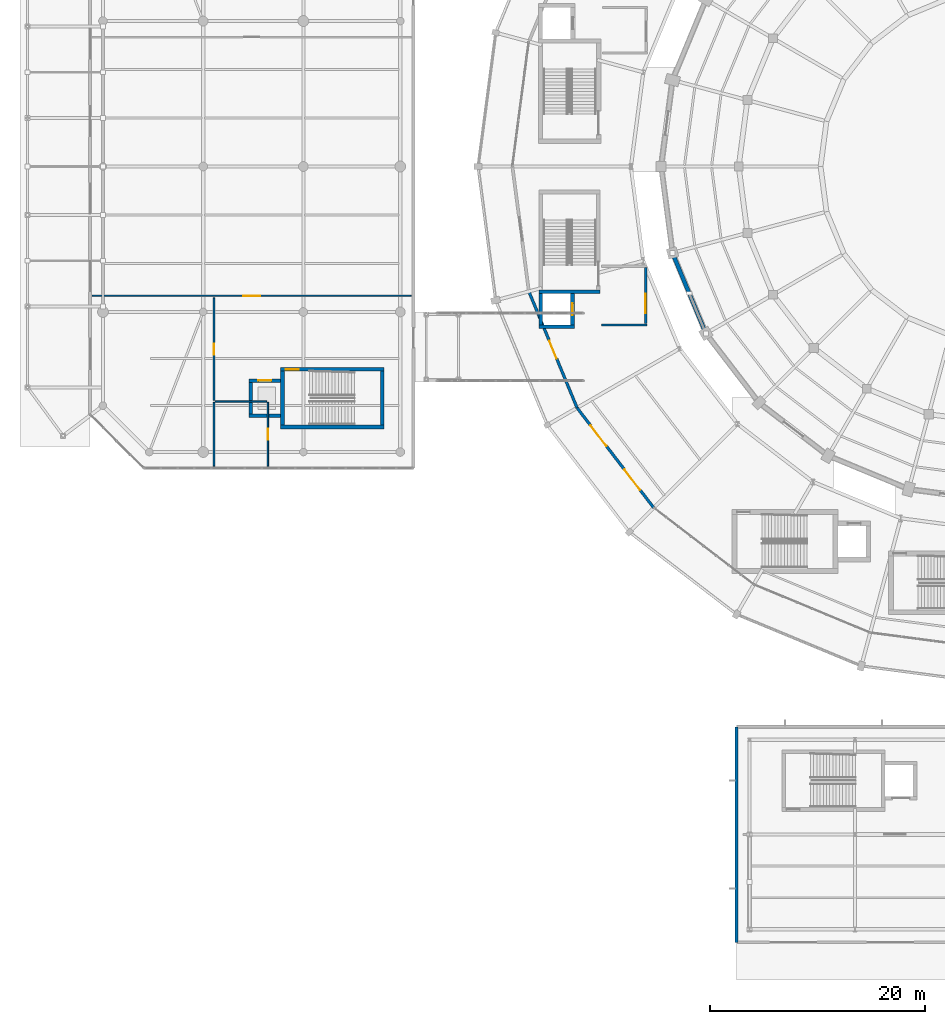
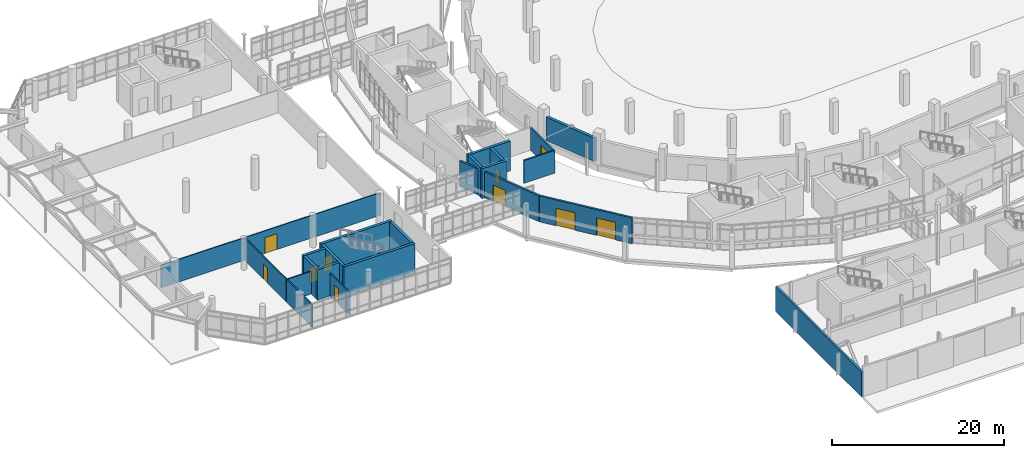
# One storey, part 99 of 122: 22 walls, 10 doors, 10 openings.
"""IFC4 building model written with IfcOpenShell, lengths in metres."""

from ifc_helpers import new_model, si_unit, direction, frame, frame_2d, origin, place, context, subcontext, project, spatial, rectangle, extrude, material, layer, layer_set, type_object, element, fill, save


model = new_model("IFC4")

# Units and contexts
model_context = context("Model", 3, precision=1e-05, world=origin(), true_north=direction((0.0, 1.0)))
body_context = subcontext(model_context, "Body", "Model", "MODEL_VIEW")
ifc_project = project(units=[si_unit("LENGTHUNIT", "METRE"), si_unit("AREAUNIT", "SQUARE_METRE"), si_unit("VOLUMEUNIT", "CUBIC_METRE"), si_unit("PLANEANGLEUNIT", "RADIAN"), si_unit("MASSUNIT", "GRAM", prefix="KILO")], contexts=[model_context])

# Site, building, storey
site_placement = place(None, origin())
site = spatial("IfcSite", under=ifc_project, at=site_placement, CompositionType="ELEMENT")
building_placement = place(site_placement, origin())
building = spatial("IfcBuilding", under=site, at=building_placement, Name="Sohan Crest Arena", CompositionType="ELEMENT")
storey_placement = place(building_placement, origin())
storey = spatial("IfcBuildingStorey", under=building, at=storey_placement, Name="L00", CompositionType="ELEMENT", Elevation=0.0)

# Wall, opening, door
ifc_material_1 = material(Name="Margalla limestone ashlar envelope wall", Category="masonry")
ifc_layer_1 = layer(ifc_material_1, 0.260009765625, Name="Margalla limestone ashlar envelope wall")
ifc_layer_set_1 = layer_set([ifc_layer_1], Name="Margalla limestone ashlar envelope wall")
wall_type_1 = type_object("IfcWallType", Name="WAL-EW01", PredefinedType="SOLIDWALL", material=ifc_layer_set_1)
wall_1_placement = place(storey_placement, frame((54.72705078125, 66.405029296875, 0.0), z_axis=(0.0, 0.0, 1.0), x_axis=(0.382632655327, -0.923900563414, 0.0)))
wall_1 = element("IfcWall", 1, at=wall_1_placement, inside=storey, type_object=wall_type_1, Name="External wall EW-076", PredefinedType="SOLIDWALL", context=body_context, shape_type="SweptSolid", body=[
    extrude(rectangle(XDim=11.69482421875, YDim=0.260009765625, at=frame_2d((5.847412109375, 0.0))), origin(), (0.0, 0.0, 1.0), 3.679931640625),
])
opening_1_placement = place(wall_1_placement, frame((4.947998046875, 0.0, 0.0)))
opening_1 = element("IfcOpeningElement", 2, at=opening_1_placement, cuts=wall_1, Name="Opening BD-L00-08", PredefinedType="OPENING", context=body_context, shape_type="SweptSolid", body=[
    extrude(rectangle(XDim=1.800048828125, YDim=2.35009765625, at=frame_2d((0.89990234375, 1.175048828125))), frame((0.0, 0.139892578125, 0.0), z_axis=(0.0, -1.0, 0.0), x_axis=(1.0, 0.0, 0.0)), (0.0, 0.0, 1.0), 0.280029296875),
])
ifc_material_2 = material(Name="Glazed aluminium terrace access door", Category="aluminium")
door_type_1 = type_object("IfcDoorType", Name="DR-ED01", OperationType="DOUBLE_DOOR_SINGLE_SWING", PredefinedType="DOOR", material=ifc_material_2)
door_1_placement = place(opening_1_placement, frame((1.800048828125, 0.0, 0.0), z_axis=(0.0, 0.0, 1.0), x_axis=(-1.0, 0.0, 0.0)))
door_1 = element("IfcDoor", 3, at=door_1_placement, inside=storey, type_object=door_type_1, Name="Covered bridge passage door BD-L00-08", OperationType="DOUBLE_DOOR_SINGLE_SWING", OverallHeight=2.35009765625, OverallWidth=1.800048828125, PredefinedType="DOOR", context=body_context, shape_type="SweptSolid", body=[
    extrude(rectangle(XDim=1.800048828125, YDim=2.35009765625, at=frame_2d((0.89990234375, 1.175048828125))), frame((0.0, 0.02490234375, 0.0), z_axis=(0.0, -1.0, 0.0), x_axis=(1.0, 0.0, 0.0)), (0.0, 0.0, 1.0), 0.050048828125),
])
fill(opening_1, door_1)

# Wall, openings, doors
wall_2_placement = place(storey_placement, frame((59.201904296875, 55.60009765625, 0.0), z_axis=(0.0, 0.0, 1.0), x_axis=(0.608804425344, -0.793320346192, 0.0)))
wall_2 = element("IfcWall", 4, at=wall_2_placement, inside=storey, type_object=wall_type_1, Name="External wall EW-077", PredefinedType="SOLIDWALL", context=body_context, shape_type="SweptSolid", body=[
    extrude(rectangle(XDim=11.6953125, YDim=0.260009765625, at=frame_2d((5.84765625, 0.0))), origin(), (0.0, 0.0, 1.0), 3.679931640625),
])
opening_2_placement = place(wall_2_placement, frame((2.074951171875, 0.0, 0.0)))
opening_2 = element("IfcOpeningElement", 5, at=opening_2_placement, cuts=wall_2, Name="Opening G03", PredefinedType="OPENING", context=body_context, shape_type="SweptSolid", body=[
    extrude(rectangle(XDim=2.39990234375, YDim=2.5, at=frame_2d((1.199951171875, 1.25))), frame((0.0, 0.139892578125, 0.0), z_axis=(0.0, -1.0, 0.0), x_axis=(1.0, 0.0, 0.0)), (0.0, 0.0, 1.0), 0.280029296875),
])
opening_3_placement = place(wall_2_placement, frame((7.219970703125, 0.0, 0.0)))
opening_3 = element("IfcOpeningElement", 6, at=opening_3_placement, cuts=wall_2, Name="Opening G04", PredefinedType="OPENING", context=body_context, shape_type="SweptSolid", body=[
    extrude(rectangle(XDim=2.39990234375, YDim=2.5, at=frame_2d((1.199951171875, 1.25))), frame((0.0, 0.139892578125, 0.0), z_axis=(0.0, -1.0, 0.0), x_axis=(1.0, 0.0, 0.0)), (0.0, 0.0, 1.0), 0.280029296875),
])
ifc_material_3 = material(Name="Galvanised steel acoustic final exit door", Category="steel")
door_type_2 = type_object("IfcDoorType", Name="DR-G01", OperationType="DOUBLE_DOOR_SINGLE_SWING", PredefinedType="DOOR", material=ifc_material_3)
door_2_placement = place(opening_2_placement, frame((2.39990234375, 0.0, 0.0), z_axis=(0.0, 0.0, 1.0), x_axis=(-1.0, 0.0, 0.0)))
door_2 = element("IfcDoor", 7, at=door_2_placement, inside=storey, type_object=door_type_2, Name="Pedestrian exit gate G03", OperationType="DOUBLE_DOOR_SINGLE_SWING", OverallHeight=2.5, OverallWidth=2.39990234375, PredefinedType="DOOR", context=body_context, shape_type="SweptSolid", body=[
    extrude(rectangle(XDim=2.39990234375, YDim=2.5, at=frame_2d((1.199951171875, 1.25))), frame((0.0, 0.02490234375, 0.0), z_axis=(0.0, -1.0, 0.0), x_axis=(1.0, 0.0, 0.0)), (0.0, 0.0, 1.0), 0.050048828125),
])
fill(opening_2, door_2)
door_3_placement = place(opening_3_placement, frame((2.39990234375, 0.0, 0.0), z_axis=(0.0, 0.0, 1.0), x_axis=(-1.0, 0.0, 0.0)))
door_3 = element("IfcDoor", 8, at=door_3_placement, inside=storey, type_object=door_type_2, Name="Pedestrian exit gate G04", OperationType="DOUBLE_DOOR_SINGLE_SWING", OverallHeight=2.5, OverallWidth=2.39990234375, PredefinedType="DOOR", context=body_context, shape_type="SweptSolid", body=[
    extrude(rectangle(XDim=2.39990234375, YDim=2.5, at=frame_2d((1.199951171875, 1.25))), frame((0.0, 0.02490234375, 0.0), z_axis=(0.0, -1.0, 0.0), x_axis=(1.0, 0.0, 0.0)), (0.0, 0.0, 1.0), 0.050048828125),
])
fill(opening_3, door_3)

# Walls
wall_3_placement = place(storey_placement, frame((74.0, 26.0, 0.0), z_axis=(0.0, 0.0, 1.0), x_axis=(0.0, -1.0, 0.0)))
element("IfcWall", 9, at=wall_3_placement, inside=storey, type_object=wall_type_1, Name="External wall EW-129", PredefinedType="SOLIDWALL", context=body_context, shape_type="SweptSolid", body=[
    extrude(rectangle(XDim=20.0, YDim=0.260009765625, at=frame_2d((10.0, 0.0))), origin(), (0.0, 0.0, 1.0), 3.5),
])
ifc_material_4 = material(Name="Acoustic insulated bowl drum enclosure wall", Category="masonry")
ifc_layer_2 = layer(ifc_material_4, 0.3701171875, Name="Acoustic insulated bowl drum enclosure wall")
ifc_layer_set_2 = layer_set([ifc_layer_2], Name="Acoustic insulated bowl drum enclosure wall")
wall_type_2 = type_object("IfcWallType", Name="WAL-EW05", PredefinedType="SOLIDWALL", material=ifc_layer_set_2)
wall_4_placement = place(storey_placement, frame((68.22412109375, 69.570068359375, 0.0), z_axis=(0.0, 0.0, 1.0), x_axis=(0.382807189089, -0.923828261086, 0.0)))
element("IfcWall", 10, at=wall_4_placement, inside=storey, type_object=wall_type_2, Name="Acoustic bowl drum wall BW-L00-08", PredefinedType="SOLIDWALL", context=body_context, shape_type="SweptSolid", body=[
    extrude(rectangle(XDim=7.21240234375, YDim=0.3701171875, at=frame_2d((3.606201171875, 0.0))), origin(), (0.0, 0.0, 1.0), 3.300048828125),
])
ifc_material_5 = material(Name="Fire-rated masonry blockwork compartment wall", Category="masonry")
ifc_layer_3 = layer(ifc_material_5, 0.199951171875, Name="Fire-rated masonry blockwork compartment wall")
ifc_layer_set_3 = layer_set([ifc_layer_3], Name="Fire-rated masonry blockwork compartment wall")
wall_type_3 = type_object("IfcWallType", Name="WAL-FW01", PredefinedType="PARTITIONING", material=ifc_layer_set_3)
wall_5_placement = place(storey_placement, frame((61.489990234375, 63.300048828125, 0.0), z_axis=(0.0, 0.0, 1.0), x_axis=(1.0, 0.0, 0.0)))
element("IfcWall", 11, at=wall_5_placement, inside=storey, type_object=wall_type_3, Name="Interior partition wall PW-0018", PredefinedType="PARTITIONING", context=body_context, shape_type="SweptSolid", body=[
    extrude(rectangle(XDim=4.179931640625, YDim=0.199951171875, at=frame_2d((2.08984375, 0.0))), origin(), (0.0, 0.0, 1.0), 3.219970703125),
])

# Wall, opening, door
wall_6_placement = place(storey_placement, frame((65.570068359375, 63.419921875, 0.0), z_axis=(0.0, 0.0, 1.0), x_axis=(0.0, 1.0, 0.0)))
wall_6 = element("IfcWall", 12, at=wall_6_placement, inside=storey, type_object=wall_type_3, Name="Interior partition wall PW-0020", PredefinedType="PARTITIONING", context=body_context, shape_type="SweptSolid", body=[
    extrude(rectangle(XDim=5.2099609375, YDim=0.199951171875, at=frame_2d((2.60498046875, 0.0))), origin(), (0.0, 0.0, 1.0), 3.219970703125),
])
opening_4_placement = place(wall_6_placement, frame((0.949951171875, 0.0, 0.0)))
opening_4 = element("IfcOpeningElement", 13, at=opening_4_placement, cuts=wall_6, Name="Opening FFL-0006", PredefinedType="OPENING", context=body_context, shape_type="SweptSolid", body=[
    extrude(rectangle(XDim=1.800048828125, YDim=2.199951171875, at=frame_2d((0.89990234375, 1.10009765625))), frame((0.0, 0.10986328125, 0.0), z_axis=(0.0, -1.0, 0.0), x_axis=(1.0, 0.0, 0.0)), (0.0, 0.0, 1.0), 0.219970703125),
])
ifc_material_6 = material(Name="Fire-rated timber-faced lobby double door", Category="wood")
door_type_3 = type_object("IfcDoorType", Name="DR-FD03", OperationType="DOUBLE_DOOR_SINGLE_SWING", PredefinedType="DOOR", material=ifc_material_6)
door_4_placement = place(opening_4_placement, origin())
door_4 = element("IfcDoor", 14, at=door_4_placement, inside=storey, type_object=door_type_3, Name="Firefighting lift lobby door FL01 FFL-0006", OperationType="DOUBLE_DOOR_SINGLE_SWING", OverallHeight=2.199951171875, OverallWidth=1.800048828125, PredefinedType="DOOR", context=body_context, shape_type="SweptSolid", body=[
    extrude(rectangle(XDim=1.800048828125, YDim=2.199951171875, at=frame_2d((0.89990234375, 1.10009765625))), frame((0.0, 0.02490234375, 0.0), z_axis=(0.0, -1.0, 0.0), x_axis=(1.0, 0.0, 0.0)), (0.0, 0.0, 1.0), 0.050048828125),
])
fill(opening_4, door_4)

ifc_material_7 = material(Name="Acoustic gypsum stud room partition", Category="masonry")
ifc_layer_4 = layer(ifc_material_7, 0.1201171875, Name="Acoustic gypsum stud room partition")
ifc_layer_set_4 = layer_set([ifc_layer_4], Name="Acoustic gypsum stud room partition")
wall_type_4 = type_object("IfcWallType", Name="WAL-PW01", PredefinedType="PARTITIONING", material=ifc_layer_set_4)
wall_7_placement = place(storey_placement, frame((14.199951171875, 66.0, 0.0), z_axis=(0.0, 0.0, 1.0), x_axis=(1.0, 0.0, 0.0)))
wall_7 = element("IfcWall", 15, at=wall_7_placement, inside=storey, type_object=wall_type_4, Name="Interior partition wall PW-0846", PredefinedType="PARTITIONING", context=body_context, shape_type="SweptSolid", body=[
    extrude(rectangle(XDim=29.60009765625, YDim=0.1201171875, at=frame_2d((14.800048828125, 0.0))), origin(), (0.0, 0.0, 1.0), 3.219970703125),
])
opening_5_placement = place(wall_7_placement, frame((14.0, 0.0, 0.0)))
opening_5 = element("IfcOpeningElement", 16, at=opening_5_placement, cuts=wall_7, Name="Opening FY-0231", PredefinedType="OPENING", context=body_context, shape_type="SweptSolid", body=[
    extrude(rectangle(XDim=1.60009765625, YDim=2.25, at=frame_2d((0.800048828125, 1.125))), frame((0.0, 0.070068359375, 0.0), z_axis=(0.0, -1.0, 0.0), x_axis=(1.0, 0.0, 0.0)), (0.0, 0.0, 1.0), 0.14013671875),
])
ifc_material_8 = material(Name="Solid oak acoustic club lounge double door", Category="wood")
door_type_4 = type_object("IfcDoorType", Name="DR-ID01", OperationType="DOUBLE_DOOR_SINGLE_SWING", PredefinedType="DOOR", material=ifc_material_8)
door_5_placement = place(opening_5_placement, origin())
door_5 = element("IfcDoor", 17, at=door_5_placement, inside=storey, type_object=door_type_4, Name="Arena cafe lobby door FY-0231", OperationType="DOUBLE_DOOR_SINGLE_SWING", OverallHeight=2.25, OverallWidth=1.60009765625, PredefinedType="DOOR", context=body_context, shape_type="SweptSolid", body=[
    extrude(rectangle(XDim=1.60009765625, YDim=2.25, at=frame_2d((0.800048828125, 1.125))), frame((0.0, 0.02490234375, 0.0), z_axis=(0.0, -1.0, 0.0), x_axis=(1.0, 0.0, 0.0)), (0.0, 0.0, 1.0), 0.050048828125),
])
fill(opening_5, door_5)

ifc_material_9 = material(Name="Wet-area moisture-resistant masonry partition", Category="masonry")
ifc_layer_5 = layer(ifc_material_9, 0.14990234375, Name="Wet-area moisture-resistant masonry partition")
ifc_layer_set_5 = layer_set([ifc_layer_5], Name="Wet-area moisture-resistant masonry partition")
wall_type_5 = type_object("IfcWallType", Name="WAL-PW03", PredefinedType="PARTITIONING", material=ifc_layer_set_5)
wall_8_placement = place(storey_placement, frame((25.5, 56.300048828125, 0.0), z_axis=(0.0, 0.0, 1.0), x_axis=(0.0, 1.0, 0.0)))
wall_8 = element("IfcWall", 18, at=wall_8_placement, inside=storey, type_object=wall_type_5, Name="Interior partition wall PW-0848", PredefinedType="PARTITIONING", context=body_context, shape_type="SweptSolid", body=[
    extrude(rectangle(XDim=9.5, YDim=0.14990234375, at=frame_2d((4.75, 0.0))), origin(), (0.0, 0.0, 1.0), 3.219970703125),
])
opening_6_placement = place(wall_8_placement, frame((4.239990234375, 0.0, 0.0)))
opening_6 = element("IfcOpeningElement", 19, at=opening_6_placement, cuts=wall_8, Name="Opening FY-0233", PredefinedType="OPENING", context=body_context, shape_type="SweptSolid", body=[
    extrude(rectangle(XDim=1.02001953125, YDim=2.14990234375, at=frame_2d((0.510009765625, 1.074951171875))), frame((0.0, 0.0849609375, 0.0), z_axis=(0.0, -1.0, 0.0), x_axis=(1.0, 0.0, 0.0)), (0.0, 0.0, 1.0), 0.169921875),
])
ifc_material_10 = material(Name="Accessible toilet and dressing room door", Category="wood")
door_type_5 = type_object("IfcDoorType", Name="DR-ID03", OperationType="NOTDEFINED", PredefinedType="DOOR", material=ifc_material_10)
door_6_placement = place(opening_6_placement, origin())
door_6 = element("IfcDoor", 20, at=door_6_placement, inside=storey, type_object=door_type_5, Name="Arena cafe door FY-0233", OperationType="SINGLE_SWING_RIGHT", OverallHeight=2.14990234375, OverallWidth=1.02001953125, PredefinedType="DOOR", context=body_context, shape_type="SweptSolid", body=[
    extrude(rectangle(XDim=1.02001953125, YDim=2.14990234375, at=frame_2d((0.510009765625, 1.074951171875))), frame((0.0, 0.02490234375, 0.0), z_axis=(0.0, -1.0, 0.0), x_axis=(1.0, 0.0, 0.0)), (0.0, 0.0, 1.0), 0.050048828125),
])
fill(opening_6, door_6)

# Wall
wall_9_placement = place(storey_placement, frame((25.5, 50.199951171875, 0.0), z_axis=(0.0, 0.0, 1.0), x_axis=(0.0, 1.0, 0.0)))
element("IfcWall", 21, at=wall_9_placement, inside=storey, type_object=wall_type_5, Name="Interior partition wall PW-0849", PredefinedType="PARTITIONING", context=body_context, shape_type="SweptSolid", body=[
    extrude(rectangle(XDim=5.900146484375, YDim=0.14990234375, at=frame_2d((2.9501953125, 0.0))), origin(), (0.0, 0.0, 1.0), 3.219970703125),
])

# Wall, opening, door
wall_10_placement = place(storey_placement, frame((30.5, 50.199951171875, 0.0), z_axis=(0.0, 0.0, 1.0), x_axis=(0.0, 1.0, 0.0)))
wall_10 = element("IfcWall", 22, at=wall_10_placement, inside=storey, type_object=wall_type_5, Name="Interior partition wall PW-0850", PredefinedType="PARTITIONING", context=body_context, shape_type="SweptSolid", body=[
    extrude(rectangle(XDim=5.900146484375, YDim=0.14990234375, at=frame_2d((2.9501953125, 0.0))), origin(), (0.0, 0.0, 1.0), 3.219970703125),
])
opening_7_placement = place(wall_10_placement, frame((2.43994140625, 0.0, 0.0)))
opening_7 = element("IfcOpeningElement", 23, at=opening_7_placement, cuts=wall_10, Name="Opening WC-0234", PredefinedType="OPENING", context=body_context, shape_type="SweptSolid", body=[
    extrude(rectangle(XDim=1.02001953125, YDim=2.14990234375, at=frame_2d((0.510009765625, 1.074951171875))), frame((0.0, 0.0849609375, 0.0), z_axis=(0.0, -1.0, 0.0), x_axis=(1.0, 0.0, 0.0)), (0.0, 0.0, 1.0), 0.169921875),
])
door_7_placement = place(opening_7_placement, origin())
door_7 = element("IfcDoor", 24, at=door_7_placement, inside=storey, type_object=door_type_5, Name="Foyer accessible WC door WC-0234", OperationType="SINGLE_SWING_LEFT", OverallHeight=2.14990234375, OverallWidth=1.02001953125, PredefinedType="DOOR", context=body_context, shape_type="SweptSolid", body=[
    extrude(rectangle(XDim=1.02001953125, YDim=2.14990234375, at=frame_2d((0.510009765625, 1.074951171875))), frame((0.0, 0.02490234375, 0.0), z_axis=(0.0, -1.0, 0.0), x_axis=(1.0, 0.0, 0.0)), (0.0, 0.0, 1.0), 0.050048828125),
])
fill(opening_7, door_7)

# Walls
wall_11_placement = place(storey_placement, frame((25.60009765625, 56.199951171875, 0.0), z_axis=(0.0, 0.0, 1.0), x_axis=(1.0, 0.0, 0.0)))
element("IfcWall", 25, at=wall_11_placement, inside=storey, type_object=wall_type_5, Name="Interior partition wall PW-0851", PredefinedType="PARTITIONING", context=body_context, shape_type="SweptSolid", body=[
    extrude(rectangle(XDim=4.7998046875, YDim=0.14990234375, at=frame_2d((2.39990234375, 0.0))), origin(), (0.0, 0.0, 1.0), 3.219970703125),
])
ifc_material_11 = material(Name="Concrete C40/50", Category="concrete")
ifc_layer_6 = layer(ifc_material_11, 0.35009765625, Name="Concrete C40/50")
ifc_layer_set_6 = layer_set([ifc_layer_6], Name="Concrete C40/50")
wall_type_6 = type_object("IfcWallType", Name="WAL-SW02", PredefinedType="SHEAR", material=ifc_layer_set_6)
wall_12_placement = place(storey_placement, frame((55.64990234375, 66.375, 0.0), z_axis=(0.0, 0.0, 1.0), x_axis=(1.0, 0.0, 0.0)))
element("IfcWall", 26, at=wall_12_placement, inside=storey, type_object=wall_type_6, Name="Core shear wall SW-0011", PredefinedType="SHEAR", context=body_context, shape_type="SweptSolid", body=[
    extrude(rectangle(XDim=5.7001953125, YDim=0.35009765625, at=frame_2d((2.85009765625, 0.0))), origin(), (0.0, 0.0, 1.0), 4.22509765625),
])
wall_13_placement = place(storey_placement, frame((55.824951171875, 63.300048828125, 0.0), z_axis=(0.0, 0.0, 1.0), x_axis=(0.0, 1.0, 0.0)))
element("IfcWall", 27, at=wall_13_placement, inside=storey, type_object=wall_type_6, Name="Core shear wall SW-0015", PredefinedType="SHEAR", context=body_context, shape_type="SweptSolid", body=[
    extrude(rectangle(XDim=2.89990234375, YDim=0.35009765625, at=frame_2d((1.449951171875, 0.0))), origin(), (0.0, 0.0, 1.0), 4.22509765625),
])

# Wall, opening, door
wall_14_placement = place(storey_placement, frame((58.77490234375, 63.300048828125, 0.0), z_axis=(0.0, 0.0, 1.0), x_axis=(0.0, 1.0, 0.0)))
wall_14 = element("IfcWall", 28, at=wall_14_placement, inside=storey, type_object=wall_type_6, Name="Core shear wall SW-0016", PredefinedType="SHEAR", context=body_context, shape_type="SweptSolid", body=[
    extrude(rectangle(XDim=2.89990234375, YDim=0.35009765625, at=frame_2d((1.449951171875, 0.0))), origin(), (0.0, 0.0, 1.0), 4.22509765625),
])
opening_8_placement = place(wall_14_placement, frame((0.89990234375, 0.0, 0.0)))
opening_8 = element("IfcOpeningElement", 29, at=opening_8_placement, cuts=wall_14, Name="Opening LD-FL01-L00", PredefinedType="OPENING", context=body_context, shape_type="SweptSolid", body=[
    extrude(rectangle(XDim=1.10009765625, YDim=2.199951171875, at=frame_2d((0.550048828125, 1.10009765625))), frame((0.0, 0.18505859375, 0.0), z_axis=(0.0, -1.0, 0.0), x_axis=(1.0, 0.0, 0.0)), (0.0, 0.0, 1.0), 0.3701171875),
])
ifc_material_12 = material(Name="Stainless steel firefighting lift landing door", Category="steel")
door_type_6 = type_object("IfcDoorType", Name="DR-LD01", OperationType="SLIDING_TO_LEFT", PredefinedType="DOOR", material=ifc_material_12)
door_8_placement = place(opening_8_placement, origin())
door_8 = element("IfcDoor", 30, at=door_8_placement, inside=storey, type_object=door_type_6, Name="Sliding lift landing door LD-FL01-L00", OperationType="SLIDING_TO_LEFT", OverallHeight=2.199951171875, OverallWidth=1.10009765625, PredefinedType="DOOR", context=body_context, shape_type="SweptSolid", body=[
    extrude(rectangle(XDim=1.10009765625, YDim=2.199951171875, at=frame_2d((0.550048828125, 1.10009765625))), frame((0.0, 0.02490234375, 0.0), z_axis=(0.0, -1.0, 0.0), x_axis=(1.0, 0.0, 0.0)), (0.0, 0.0, 1.0), 0.050048828125),
])
fill(opening_8, door_8)

# Walls
wall_15_placement = place(storey_placement, frame((55.64990234375, 63.125, 0.0), z_axis=(0.0, 0.0, 1.0), x_axis=(1.0, 0.0, 0.0)))
element("IfcWall", 31, at=wall_15_placement, inside=storey, type_object=wall_type_6, Name="Core shear wall SW-0017", PredefinedType="SHEAR", context=body_context, shape_type="SweptSolid", body=[
    extrude(rectangle(XDim=3.300048828125, YDim=0.35009765625, at=frame_2d((1.64990234375, 0.0))), origin(), (0.0, 0.0, 1.0), 4.22509765625),
])
for number, where, z_axis, x_axis, name in (
    (32, (31.875, 54.0, 0.0), (0.0, 0.0, 1.0), (0.0, 1.0, 0.0), "Core shear wall SW-0531"),
    (33, (41.125, 54.0, 0.0), (0.0, 0.0, 1.0), (0.0, 1.0, 0.0), "Core shear wall SW-0532"),
):
    element("IfcWall", number, at=place(storey_placement, frame(where, z_axis=z_axis, x_axis=x_axis)), inside=storey, type_object=wall_type_6, Name=name, PredefinedType="SHEAR", context=body_context, shape_type="SweptSolid", body=[
        extrude(rectangle(XDim=5.0, YDim=0.35009765625, at=frame_2d((2.5, 0.0))), origin(), (0.0, 0.0, 1.0), 4.2900390625),
    ])
wall_16_placement = place(storey_placement, frame((31.699951171875, 53.824951171875, 0.0), z_axis=(0.0, 0.0, 1.0), x_axis=(1.0, 0.0, 0.0)))
element("IfcWall", 34, at=wall_16_placement, inside=storey, type_object=wall_type_6, Name="Core shear wall SW-0533", PredefinedType="SHEAR", context=body_context, shape_type="SweptSolid", body=[
    extrude(rectangle(XDim=9.60009765625, YDim=0.35009765625, at=frame_2d((4.800048828125, 0.0))), origin(), (0.0, 0.0, 1.0), 4.2900390625),
])

# Wall, opening, door
wall_17_placement = place(storey_placement, frame((31.699951171875, 59.175048828125, 0.0), z_axis=(0.0, 0.0, 1.0), x_axis=(1.0, 0.0, 0.0)))
wall_17 = element("IfcWall", 35, at=wall_17_placement, inside=storey, type_object=wall_type_6, Name="Core shear wall SW-0534", PredefinedType="SHEAR", context=body_context, shape_type="SweptSolid", body=[
    extrude(rectangle(XDim=9.60009765625, YDim=0.35009765625, at=frame_2d((4.800048828125, 0.0))), origin(), (0.0, 0.0, 1.0), 4.2900390625),
])
opening_9_placement = place(wall_17_placement, frame((0.449951171875, 0.0, 0.0)))
opening_9 = element("IfcOpeningElement", 36, at=opening_9_placement, cuts=wall_17, Name="Opening SD-0145", PredefinedType="OPENING", context=body_context, shape_type="SweptSolid", body=[
    extrude(rectangle(XDim=1.199951171875, YDim=2.199951171875, at=frame_2d((0.60009765625, 1.10009765625))), frame((0.0, 0.18505859375, 0.0), z_axis=(0.0, -1.0, 0.0), x_axis=(1.0, 0.0, 0.0)), (0.0, 0.0, 1.0), 0.3701171875),
])
ifc_material_13 = material(Name="Fire-rated steel stair and lobby door", Category="steel")
door_type_7 = type_object("IfcDoorType", Name="DR-FD04", OperationType="NOTDEFINED", PredefinedType="DOOR", material=ifc_material_13)
door_9_placement = place(opening_9_placement, origin())
door_9 = element("IfcDoor", 37, at=door_9_placement, inside=storey, type_object=door_type_7, Name="Protected stair door SD-0145", OperationType="SINGLE_SWING_LEFT", OverallHeight=2.199951171875, OverallWidth=1.199951171875, PredefinedType="DOOR", context=body_context, shape_type="SweptSolid", body=[
    extrude(rectangle(XDim=1.199951171875, YDim=2.199951171875, at=frame_2d((0.60009765625, 1.10009765625))), frame((0.0, 0.02490234375, 0.0), z_axis=(0.0, -1.0, 0.0), x_axis=(1.0, 0.0, 0.0)), (0.0, 0.0, 1.0), 0.050048828125),
])
fill(opening_9, door_9)

# Walls
wall_18_placement = place(storey_placement, frame((28.925048828125, 55.050048828125, 0.0), z_axis=(0.0, 0.0, 1.0), x_axis=(0.0, 1.0, 0.0)))
element("IfcWall", 38, at=wall_18_placement, inside=storey, type_object=wall_type_6, Name="Core shear wall SW-0535", PredefinedType="SHEAR", context=body_context, shape_type="SweptSolid", body=[
    extrude(rectangle(XDim=2.89990234375, YDim=0.35009765625, at=frame_2d((1.449951171875, 0.0))), origin(), (0.0, 0.0, 1.0), 4.2900390625),
])
wall_19_placement = place(storey_placement, frame((28.75, 54.875, 0.0), z_axis=(0.0, 0.0, 1.0), x_axis=(1.0, 0.0, 0.0)))
element("IfcWall", 39, at=wall_19_placement, inside=storey, type_object=wall_type_6, Name="Core shear wall SW-0536", PredefinedType="SHEAR", context=body_context, shape_type="SweptSolid", body=[
    extrude(rectangle(XDim=2.949951171875, YDim=0.35009765625, at=frame_2d((1.47509765625, 0.0))), origin(), (0.0, 0.0, 1.0), 4.2900390625),
])

# Wall, opening, door
wall_20_placement = place(storey_placement, frame((28.75, 58.125, 0.0), z_axis=(0.0, 0.0, 1.0), x_axis=(1.0, 0.0, 0.0)))
wall_20 = element("IfcWall", 40, at=wall_20_placement, inside=storey, type_object=wall_type_6, Name="Core shear wall SW-0537", PredefinedType="SHEAR", context=body_context, shape_type="SweptSolid", body=[
    extrude(rectangle(XDim=2.949951171875, YDim=0.35009765625, at=frame_2d((1.47509765625, 0.0))), origin(), (0.0, 0.0, 1.0), 4.2900390625),
])
opening_10_placement = place(wall_20_placement, frame((0.875, 0.0, 0.0)))
opening_10 = element("IfcOpeningElement", 41, at=opening_10_placement, cuts=wall_20, Name="Opening LD-LP09-L00", PredefinedType="OPENING", context=body_context, shape_type="SweptSolid", body=[
    extrude(rectangle(XDim=1.199951171875, YDim=2.199951171875, at=frame_2d((0.60009765625, 1.10009765625))), frame((0.0, 0.18505859375, 0.0), z_axis=(0.0, -1.0, 0.0), x_axis=(1.0, 0.0, 0.0)), (0.0, 0.0, 1.0), 0.3701171875),
])
ifc_material_14 = material(Name="Stainless steel passenger lift landing door", Category="steel")
door_type_8 = type_object("IfcDoorType", Name="DR-LD02", OperationType="SLIDING_TO_LEFT", PredefinedType="DOOR", material=ifc_material_14)
door_10_placement = place(opening_10_placement, origin())
door_10 = element("IfcDoor", 42, at=door_10_placement, inside=storey, type_object=door_type_8, Name="Sliding lift landing door LD-LP09-L00", OperationType="SLIDING_TO_LEFT", OverallHeight=2.199951171875, OverallWidth=1.199951171875, PredefinedType="DOOR", context=body_context, shape_type="SweptSolid", body=[
    extrude(rectangle(XDim=1.199951171875, YDim=2.199951171875, at=frame_2d((0.60009765625, 1.10009765625))), frame((0.0, 0.02490234375, 0.0), z_axis=(0.0, -1.0, 0.0), x_axis=(1.0, 0.0, 0.0)), (0.0, 0.0, 1.0), 0.050048828125),
])
fill(opening_10, door_10)

save(model, "model.ifc")
